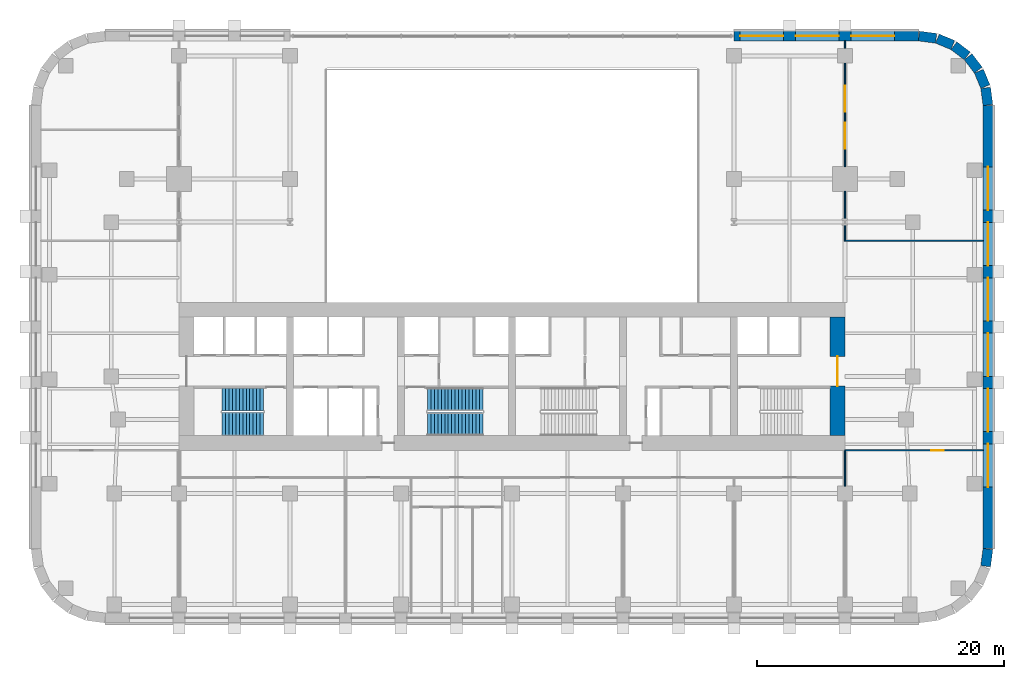
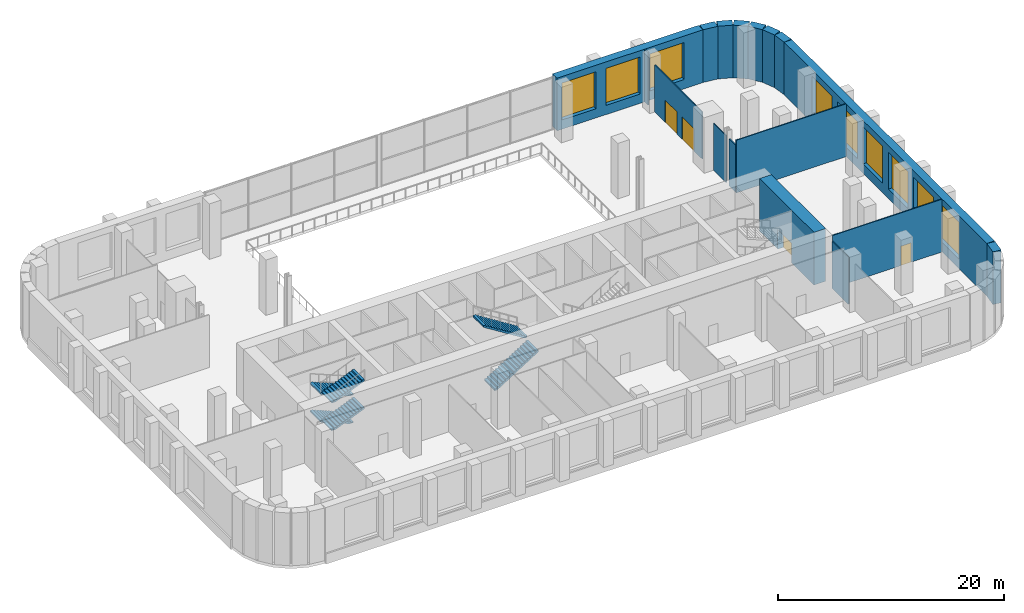
# One storey, part 8 of 13: 17 walls, 9 windows, 6 stair flights, 4 doors, 13 openings, 2 elements without a shape of their own.
"""IFC4 building model written with IfcOpenShell, lengths in metres."""

import ifcopenshell
import ifcopenshell.guid

model = None  # the IFC model being written
_history = None  # IfcOwnerHistory: only IFC2X3 demands one
_inside = {}  # id of a spatial element -> (the spatial element, [elements in it])
_under = {}  # id of a project, library or spatial element -> (it, [spatial elements below it])
_declared = {}  # id of a project -> (the project, [libraries it declares])
_typed = {}  # id of a type object -> (the type object, [elements of that type])
_made_of = {}  # id of a material, layer set ... -> (it, [elements and type objects made of it])


def new_model(schema):
    """Start an empty IFC model of exactly this schema.

    Asked for "IFC4X3", IfcOpenShell would pick the latest addendum, in which some entities
    have other attributes; the version numbers below select the first issue.
    IFC2X3 requires an IfcOwnerHistory on every rooted entity: one is made here for all.
    """
    global model, _history
    if schema == "IFC4X3":
        model = ifcopenshell.file(schema_version=(4, 3, 0, 0))
    else:
        model = ifcopenshell.file(schema=schema)
    _inside.clear()
    _under.clear()
    _declared.clear()
    _typed.clear()
    _made_of.clear()
    _history = None
    if model.schema == "IFC2X3":
        org = make("IfcOrganization", Name="unknown")
        user = make(
            "IfcPersonAndOrganization",
            ThePerson=make("IfcPerson", FamilyName="unknown"),
            TheOrganization=org,
        )
        app = make(
            "IfcApplication",
            ApplicationDeveloper=org,
            Version="unknown",
            ApplicationFullName="unknown",
            ApplicationIdentifier="unknown",
        )
        _history = make(
            "IfcOwnerHistory",
            OwningUser=user,
            OwningApplication=app,
            ChangeAction="ADDED",
            CreationDate=0,
        )
    return model


def make(cls, **values):
    """One entity of the class cls with the attributes given. An attribute that is None is left unset."""
    return model.create_entity(
        cls, **{name: value for name, value in values.items() if value is not None}
    )


def rooted(cls, **values):
    """An entity with a GlobalId (a new one), such as an element, a storey or a relation."""
    return make(cls, GlobalId=ifcopenshell.guid.new(), OwnerHistory=_history, **values)


def si_unit(unit_type, name, prefix=None):
    """IfcSIUnit, for example si_unit("LENGTHUNIT", "METRE", prefix="MILLI")."""
    return make("IfcSIUnit", UnitType=unit_type, Prefix=prefix, Name=name)


def assignment(units):
    """IfcUnitAssignment: the units of a project."""
    return None if units is None else make("IfcUnitAssignment", Units=units)


def point(xyz):
    """IfcCartesianPoint."""
    return None if xyz is None else make("IfcCartesianPoint", Coordinates=xyz)


def direction(xyz):
    """IfcDirection."""
    return None if xyz is None else make("IfcDirection", DirectionRatios=xyz)


def frame(location, z_axis=None, x_axis=None):
    """IfcAxis2Placement3D, a coordinate frame: its origin and axes. An axis left out is left unset."""
    return make(
        "IfcAxis2Placement3D",
        Location=point(location),
        Axis=direction(z_axis),
        RefDirection=direction(x_axis),
    )


def frame_2d(location, x_axis=None):
    """IfcAxis2Placement2D, a coordinate frame in the plane: its origin and x axis."""
    return make(
        "IfcAxis2Placement2D", Location=point(location), RefDirection=direction(x_axis)
    )


def origin():
    """The frame at (0, 0, 0) with its axes left unset."""
    return frame((0.0, 0.0, 0.0))


def place(relative_to, where):
    """IfcLocalPlacement: puts the frame where relative to a parent placement (None: the world)."""
    return make(
        "IfcLocalPlacement", PlacementRelTo=relative_to, RelativePlacement=where
    )


def context(
    kind, dimensions, precision=None, world=None, true_north=None, identifier=None
):
    """IfcGeometricRepresentationContext, for example the 3D "Model" context."""
    return make(
        "IfcGeometricRepresentationContext",
        ContextIdentifier=identifier,
        ContextType=kind,
        CoordinateSpaceDimension=dimensions,
        Precision=precision,
        WorldCoordinateSystem=world,
        TrueNorth=true_north,
    )


def subcontext(parent, identifier, kind, view, scale=None):
    """IfcGeometricRepresentationSubContext, for example "Body" below "Model"."""
    return make(
        "IfcGeometricRepresentationSubContext",
        ContextIdentifier=identifier,
        ContextType=kind,
        ParentContext=parent,
        TargetScale=scale,
        TargetView=view,
    )


def project(units=None, contexts=None):
    """IfcProject with its units and contexts."""
    return rooted(
        "IfcProject",
        Name="project",
        RepresentationContexts=contexts,
        UnitsInContext=assignment(units),
    )


def spatial(cls, under=None, at=None, **own):
    """A site, building, storey or space (cls), placed at a placement, below another one or the project."""
    s = rooted(cls, ObjectPlacement=at, **own)
    if under is not None:
        _under.setdefault(under.id(), (under, []))[1].append(s)
    return s


def polyline(points):
    """IfcPolyline through the points."""
    return make("IfcPolyline", Points=[point(p) for p in points])


def profile(cls, at=None, kind="AREA", **sizes):
    """A parametric profile (cls). Its sizes go by their IFC names, for example OverallWidth=200.0."""
    return make(cls, ProfileType=kind, Position=at, **sizes)


def rectangle(**sizes):
    """IfcRectangleProfileDef."""
    return profile("IfcRectangleProfileDef", **sizes)


def outline(outer, holes=None, kind="AREA"):
    """IfcArbitraryClosedProfileDef: a profile drawn as a closed curve; with holes, ...WithVoids."""
    if holes is None:
        return make("IfcArbitraryClosedProfileDef", ProfileType=kind, OuterCurve=outer)
    return make(
        "IfcArbitraryProfileDefWithVoids",
        ProfileType=kind,
        OuterCurve=outer,
        InnerCurves=holes,
    )


def extrude(swept, where, along, depth):
    """IfcExtrudedAreaSolid: the profile swept, set in the frame where, extruded along a direction by depth."""
    return make(
        "IfcExtrudedAreaSolid",
        SweptArea=swept,
        Position=where,
        ExtrudedDirection=direction(along),
        Depth=depth,
    )


def shape(context_of_items, identifier, shape_type, items):
    """IfcShapeRepresentation: the items that make up one representation, for example the "Body"."""
    return make(
        "IfcShapeRepresentation",
        ContextOfItems=context_of_items,
        RepresentationIdentifier=identifier,
        RepresentationType=shape_type,
        Items=items,
    )


def material(Name=None, Category=None):
    """IfcMaterial."""
    return make("IfcMaterial", Name=Name, Category=Category)


def layer(
    of_material, thickness, ventilated=None, Name=None, Category=None, Priority=None
):
    """IfcMaterialLayer: one layer of a wall or slab, of a material (None: an air gap)."""
    return make(
        "IfcMaterialLayer",
        Material=of_material,
        LayerThickness=thickness,
        IsVentilated=ventilated,
        Name=Name,
        Category=Category,
        Priority=Priority,
    )


def layer_set(layers, Name=None):
    """IfcMaterialLayerSet."""
    return make("IfcMaterialLayerSet", MaterialLayers=layers, LayerSetName=Name)


def made_of(thing, what):
    """Note that an element or type object is made of a material, layer set ...; save() writes the relation."""
    if what is not None:
        _made_of.setdefault(what.id(), (what, []))[1].append(thing)
    return thing


def type_object(cls, material=None, **own):
    """A type object (cls), such as IfcWallType, which elements share."""
    return made_of(rooted(cls, **own), material)


def element(
    cls,
    number,
    at=None,
    inside=None,
    cuts=None,
    type_object=None,
    material=None,
    context=None,
    identifier="Body",
    shape_type=None,
    held_by="IfcProductDefinitionShape",
    body=None,
    shapes=None,
    **own,
):
    """One element of the class cls, such as IfcWall. Its Tag is "e" and its number.

    at: its placement. inside: the storey or other place that contains it. cuts: it is an
    opening in that element (IfcRelVoidsElement). A single representation is given by context,
    identifier, shape_type and body (its items); several are given by shapes. held_by: the class
    of the entity that holds the representations. save() writes the other relations.
    """
    e = rooted(cls, Tag="e%d" % number, ObjectPlacement=at, **own)
    if body is not None:
        shapes = [shape(context, identifier, shape_type, body)]
    if shapes is not None:
        e.Representation = make(held_by, Representations=shapes)
    if inside is not None:
        _inside.setdefault(inside.id(), (inside, []))[1].append(e)
    if cuts is not None:
        rooted(
            "IfcRelVoidsElement", RelatingBuildingElement=cuts, RelatedOpeningElement=e
        )
    if type_object is not None:
        _typed.setdefault(type_object.id(), (type_object, []))[1].append(e)
    return made_of(e, material)


def fill(opening, filler):
    """IfcRelFillsElement: the door or window that sits in an opening."""
    return rooted(
        "IfcRelFillsElement",
        RelatingOpeningElement=opening,
        RelatedBuildingElement=filler,
    )


def aggregate(whole, parts):
    """IfcRelAggregates: a whole, such as a stair, and the parts it consists of."""
    return rooted("IfcRelAggregates", RelatingObject=whole, RelatedObjects=parts)


def save(model, path):
    """Write the relations noted so far, then the file.

    IfcRelAggregates (storeys below a building ...), IfcRelContainedInSpatialStructure (elements
    in a storey), IfcRelDefinesByType, IfcRelAssociatesMaterial and IfcRelDeclares: one each for
    every whole, place, type object, material and project.
    """
    for whole, parts in _under.values():
        aggregate(whole, parts)
    for where, things in _inside.values():
        rooted(
            "IfcRelContainedInSpatialStructure",
            RelatedElements=things,
            RelatingStructure=where,
        )
    for kind, things in _typed.values():
        rooted("IfcRelDefinesByType", RelatedObjects=things, RelatingType=kind)
    for what, things in _made_of.values():
        rooted("IfcRelAssociatesMaterial", RelatedObjects=things, RelatingMaterial=what)
    for by, libraries in _declared.values():
        rooted("IfcRelDeclares", RelatingContext=by, RelatedDefinitions=libraries)
    model.write(path)


model = new_model("IFC4")

# Units and contexts
model_context = context("Model", 3, precision=1e-05, world=origin(), true_north=direction((0.0, 1.0)))
body_context = subcontext(model_context, "Body", "Model", "MODEL_VIEW")
ifc_project = project(units=[si_unit("LENGTHUNIT", "METRE"), si_unit("AREAUNIT", "SQUARE_METRE"), si_unit("VOLUMEUNIT", "CUBIC_METRE"), si_unit("PLANEANGLEUNIT", "RADIAN"), si_unit("MASSUNIT", "GRAM", prefix="KILO")], contexts=[model_context])

# Site, building, storey
site_placement = place(None, origin())
site = spatial("IfcSite", under=ifc_project, at=site_placement, CompositionType="ELEMENT")
building_placement = place(site_placement, origin())
building = spatial("IfcBuilding", under=site, at=building_placement, Name="Zellij Exchange Tower", CompositionType="ELEMENT")
storey_placement = place(building_placement, frame((0.0, 0.0, 15.0)))
storey = spatial("IfcBuildingStorey", under=building, at=storey_placement, Name="L02", CompositionType="ELEMENT", Elevation=15.0)

# Wall, opening, door
ifc_material_1 = material(Name="Concrete C70/85", Category="concrete")
ifc_layer_1 = layer(ifc_material_1, 1.199951171875)
ifc_layer_set_1 = layer_set([ifc_layer_1], Name="Concrete C70/85")
wall_type_1 = type_object("IfcWallType", Name="CORE-SW 1200 C70/85", PredefinedType="SHEAR", material=ifc_layer_set_1)
wall_1_placement = place(storey_placement, frame((26.39990234375, -12.800048828125, 0.0), z_axis=(0.0, 0.0, 1.0), x_axis=(0.0, 1.0, 0.0)))
wall_1 = element("IfcWall", 1, at=wall_1_placement, inside=storey, type_object=wall_type_1, Name="Core shear wall end e L02", PredefinedType="SHEAR", context=body_context, shape_type="SweptSolid", body=[
    extrude(rectangle(XDim=9.60009765625, YDim=1.199951171875, at=frame_2d((4.800048828125, 0.0))), origin(), (0.0, 0.0, 1.0), 5.699951171875),
])
opening_1_placement = place(wall_1_placement, frame((4.011962890625, 0.0, 0.0)))
opening_1 = element("IfcOpeningElement", 2, at=opening_1_placement, cuts=wall_1, Name="Opening CA-04.26", PredefinedType="OPENING", context=body_context, shape_type="SweptSolid", body=[
    extrude(rectangle(XDim=2.39990234375, YDim=2.10009765625, at=frame_2d((1.199951171875, 1.050048828125))), frame((0.0, 0.61181640625, 0.0), z_axis=(0.0, -1.0, 0.0), x_axis=(1.0, 0.0, 0.0)), (0.0, 0.0, 1.0), 1.223876953125),
])
ifc_material_2 = material(Name="Hollow metal fire door")
door_type_1 = type_object("IfcDoorType", Name="CORE-D CE Core entrance door 2400x2100 20 MIN", OperationType="NOTDEFINED", PredefinedType="DOOR", material=ifc_material_2)
door_1_placement = place(opening_1_placement, origin())
door_1 = element("IfcDoor", 3, at=door_1_placement, inside=storey, type_object=door_type_1, Name="Core entrance door CA-04.26", OperationType="DOUBLE_DOOR_SINGLE_SWING", OverallHeight=2.10009765625, OverallWidth=2.39990234375, PredefinedType="DOOR", context=body_context, shape_type="SweptSolid", body=[
    extrude(rectangle(XDim=2.39990234375, YDim=2.10009765625, at=frame_2d((1.199951171875, 1.050048828125))), frame((0.0, 0.02490234375, 0.0), z_axis=(0.0, -1.0, 0.0), x_axis=(1.0, 0.0, 0.0)), (0.0, 0.0, 1.0), 0.050048828125),
])
fill(opening_1, door_1)

# Wall
ifc_material_3 = material(Name="Precast concrete C40/50", Category="concrete")
ifc_layer_2 = layer(ifc_material_3, 0.800048828125)
ifc_layer_set_2 = layer_set([ifc_layer_2], Name="Precast concrete C40/50")
wall_type_2 = type_object("IfcWallType", Name="ENV-EW1 Precast stone-piered wall 800", PredefinedType="SOLIDWALL", material=ifc_layer_set_2)
wall_2_placement = place(storey_placement, frame((38.412841796875, -23.396240234375, 0.0), z_axis=(0.0, 0.0, 1.0), x_axis=(0.130517283865, 0.99144603414, 0.0)))
element("IfcWall", 4, at=wall_2_placement, inside=storey, type_object=wall_type_2, Name="fac.L02.06", PredefinedType="SOLIDWALL", context=body_context, shape_type="SweptSolid", body=[
    extrude(rectangle(XDim=1.408447265625, YDim=0.800048828125, at=frame_2d((0.7041015625, 0.0))), origin(), (0.0, 0.0, 1.0), 5.699951171875),
])

# Wall, openings, windows
wall_3_placement = place(storey_placement, frame((38.60009765625, -21.947509765625, 0.0), z_axis=(0.0, 0.0, 1.0), x_axis=(0.0, 1.0, 0.0)))
wall_3 = element("IfcWall", 5, at=wall_3_placement, inside=storey, type_object=wall_type_2, Name="fac.L02.07", PredefinedType="SOLIDWALL", context=body_context, shape_type="SweptSolid", body=[
    extrude(rectangle(XDim=35.89501953125, YDim=0.800048828125, at=frame_2d((17.947509765625, 0.0))), origin(), (0.0, 0.0, 1.0), 5.699951171875),
])
opening_2_placement = place(wall_3_placement, frame((4.9638671875, 0.0, 1.0)))
opening_2 = element("IfcOpeningElement", 6, at=opening_2_placement, cuts=wall_3, Name="Opening FP.15", PredefinedType="OPENING", context=body_context, shape_type="SweptSolid", body=[
    extrude(rectangle(XDim=3.5, YDim=4.0, at=frame_2d((1.75, 2.0))), frame((0.0, 0.412109375, 0.0), z_axis=(0.0, -1.0, 0.0), x_axis=(1.0, 0.0, 0.0)), (0.0, 0.0, 1.0), 0.823974609375),
])
opening_3_placement = place(wall_3_placement, frame((9.45751953125, 0.0, 1.0)))
opening_3 = element("IfcOpeningElement", 7, at=opening_3_placement, cuts=wall_3, Name="Opening FP.16", PredefinedType="OPENING", context=body_context, shape_type="SweptSolid", body=[
    extrude(rectangle(XDim=3.5, YDim=4.0, at=frame_2d((1.75, 2.0))), frame((0.0, 0.412109375, 0.0), z_axis=(0.0, -1.0, 0.0), x_axis=(1.0, 0.0, 0.0)), (0.0, 0.0, 1.0), 0.823974609375),
])
opening_4_placement = place(wall_3_placement, frame((13.950927734375, 0.0, 1.0)))
opening_4 = element("IfcOpeningElement", 8, at=opening_4_placement, cuts=wall_3, Name="Opening FP.17", PredefinedType="OPENING", context=body_context, shape_type="SweptSolid", body=[
    extrude(rectangle(XDim=3.5, YDim=4.0, at=frame_2d((1.75, 2.0))), frame((0.0, 0.412109375, 0.0), z_axis=(0.0, -1.0, 0.0), x_axis=(1.0, 0.0, 0.0)), (0.0, 0.0, 1.0), 0.823974609375),
])
opening_5_placement = place(wall_3_placement, frame((18.4443359375, 0.0, 1.0)))
opening_5 = element("IfcOpeningElement", 9, at=opening_5_placement, cuts=wall_3, Name="Opening FP.18", PredefinedType="OPENING", context=body_context, shape_type="SweptSolid", body=[
    extrude(rectangle(XDim=3.5, YDim=4.0, at=frame_2d((1.75, 2.0))), frame((0.0, 0.412109375, 0.0), z_axis=(0.0, -1.0, 0.0), x_axis=(1.0, 0.0, 0.0)), (0.0, 0.0, 1.0), 0.823974609375),
])
opening_6_placement = place(wall_3_placement, frame((22.937744140625, 0.0, 1.0)))
opening_6 = element("IfcOpeningElement", 10, at=opening_6_placement, cuts=wall_3, Name="Opening FP.19", PredefinedType="OPENING", context=body_context, shape_type="SweptSolid", body=[
    extrude(rectangle(XDim=3.5, YDim=4.0, at=frame_2d((1.75, 2.0))), frame((0.0, 0.412109375, 0.0), z_axis=(0.0, -1.0, 0.0), x_axis=(1.0, 0.0, 0.0)), (0.0, 0.0, 1.0), 0.823974609375),
])
opening_7_placement = place(wall_3_placement, frame((27.43115234375, 0.0, 1.0)))
opening_7 = element("IfcOpeningElement", 11, at=opening_7_placement, cuts=wall_3, Name="Opening FP.20", PredefinedType="OPENING", context=body_context, shape_type="SweptSolid", body=[
    extrude(rectangle(XDim=3.5, YDim=4.0, at=frame_2d((1.75, 2.0))), frame((0.0, 0.412109375, 0.0), z_axis=(0.0, -1.0, 0.0), x_axis=(1.0, 0.0, 0.0)), (0.0, 0.0, 1.0), 0.823974609375),
])
ifc_material_4 = material(Name="Aluminium frame with insulating glass", Category="aluminium")
window_type = type_object("IfcWindowType", Name="ENV-W2 Window 3500x4000", PartitioningType="SINGLE_PANEL", PredefinedType="WINDOW", material=ifc_material_4)
window_1_placement = place(opening_2_placement, origin())
window_1 = element("IfcWindow", 12, at=window_1_placement, inside=storey, type_object=window_type, Name="Window FP.15", OverallHeight=4.0, OverallWidth=3.5, PartitioningType="SINGLE_PANEL", PredefinedType="WINDOW", context=body_context, shape_type="SweptSolid", body=[
    extrude(rectangle(XDim=3.5, YDim=4.0, at=frame_2d((1.75, 2.0))), frame((0.0, 0.030029296875, 0.0), z_axis=(0.0, -1.0, 0.0), x_axis=(1.0, 0.0, 0.0)), (0.0, 0.0, 1.0), 0.06005859375),
])
fill(opening_2, window_1)
window_2_placement = place(opening_3_placement, origin())
window_2 = element("IfcWindow", 13, at=window_2_placement, inside=storey, type_object=window_type, Name="Window FP.16", OverallHeight=4.0, OverallWidth=3.5, PartitioningType="SINGLE_PANEL", PredefinedType="WINDOW", context=body_context, shape_type="SweptSolid", body=[
    extrude(rectangle(XDim=3.5, YDim=4.0, at=frame_2d((1.75, 2.0))), frame((0.0, 0.030029296875, 0.0), z_axis=(0.0, -1.0, 0.0), x_axis=(1.0, 0.0, 0.0)), (0.0, 0.0, 1.0), 0.06005859375),
])
fill(opening_3, window_2)
window_3_placement = place(opening_4_placement, origin())
window_3 = element("IfcWindow", 14, at=window_3_placement, inside=storey, type_object=window_type, Name="Window FP.17", OverallHeight=4.0, OverallWidth=3.5, PartitioningType="SINGLE_PANEL", PredefinedType="WINDOW", context=body_context, shape_type="SweptSolid", body=[
    extrude(rectangle(XDim=3.5, YDim=4.0, at=frame_2d((1.75, 2.0))), frame((0.0, 0.030029296875, 0.0), z_axis=(0.0, -1.0, 0.0), x_axis=(1.0, 0.0, 0.0)), (0.0, 0.0, 1.0), 0.06005859375),
])
fill(opening_4, window_3)
window_4_placement = place(opening_5_placement, origin())
window_4 = element("IfcWindow", 15, at=window_4_placement, inside=storey, type_object=window_type, Name="Window FP.18", OverallHeight=4.0, OverallWidth=3.5, PartitioningType="SINGLE_PANEL", PredefinedType="WINDOW", context=body_context, shape_type="SweptSolid", body=[
    extrude(rectangle(XDim=3.5, YDim=4.0, at=frame_2d((1.75, 2.0))), frame((0.0, 0.030029296875, 0.0), z_axis=(0.0, -1.0, 0.0), x_axis=(1.0, 0.0, 0.0)), (0.0, 0.0, 1.0), 0.06005859375),
])
fill(opening_5, window_4)
window_5_placement = place(opening_6_placement, origin())
window_5 = element("IfcWindow", 16, at=window_5_placement, inside=storey, type_object=window_type, Name="Window FP.19", OverallHeight=4.0, OverallWidth=3.5, PartitioningType="SINGLE_PANEL", PredefinedType="WINDOW", context=body_context, shape_type="SweptSolid", body=[
    extrude(rectangle(XDim=3.5, YDim=4.0, at=frame_2d((1.75, 2.0))), frame((0.0, 0.030029296875, 0.0), z_axis=(0.0, -1.0, 0.0), x_axis=(1.0, 0.0, 0.0)), (0.0, 0.0, 1.0), 0.06005859375),
])
fill(opening_6, window_5)
window_6_placement = place(opening_7_placement, origin())
window_6 = element("IfcWindow", 17, at=window_6_placement, inside=storey, type_object=window_type, Name="Window FP.20", OverallHeight=4.0, OverallWidth=3.5, PartitioningType="SINGLE_PANEL", PredefinedType="WINDOW", context=body_context, shape_type="SweptSolid", body=[
    extrude(rectangle(XDim=3.5, YDim=4.0, at=frame_2d((1.75, 2.0))), frame((0.0, 0.030029296875, 0.0), z_axis=(0.0, -1.0, 0.0), x_axis=(1.0, 0.0, 0.0)), (0.0, 0.0, 1.0), 0.06005859375),
])
fill(opening_7, window_6)

# Walls
wall_4_placement = place(storey_placement, frame((38.5966796875, 13.999755859375, 0.0), z_axis=(0.0, 0.0, 1.0), x_axis=(-0.130517283865, 0.99144603414, 0.0)))
element("IfcWall", 18, at=wall_4_placement, inside=storey, type_object=wall_type_2, Name="fac.L02.08", PredefinedType="SOLIDWALL", context=body_context, shape_type="SweptSolid", body=[
    extrude(rectangle(XDim=1.408447265625, YDim=0.800048828125, at=frame_2d((0.7041015625, 0.0))), origin(), (0.0, 0.0, 1.0), 5.699951171875),
])
wall_5_placement = place(storey_placement, frame((38.3857421875, 15.497314453125, 0.0), z_axis=(0.0, 0.0, 1.0), x_axis=(-0.38276009378, 0.923847774587, 0.0)))
element("IfcWall", 19, at=wall_5_placement, inside=storey, type_object=wall_type_2, Name="fac.L02.09", PredefinedType="SOLIDWALL", context=body_context, shape_type="SweptSolid", body=[
    extrude(rectangle(XDim=1.35546875, YDim=0.800048828125, at=frame_2d((0.677734375, 0.0))), origin(), (0.0, 0.0, 1.0), 5.699951171875),
])
for number, where, z_axis, x_axis, name in (
    (20, (37.814697265625, 16.840087890625, 0.0), (0.0, 0.0, 1.0), (-0.608866226366, 0.793272915452, 0.0), "fac.L02.10"),
    (21, (36.91552734375, 17.9892578125, 0.0), (0.0, 0.0, 1.0), (-0.793272915452, 0.608866226366, 0.0), "fac.L02.11"),
):
    element("IfcWall", number, at=place(storey_placement, frame(where, z_axis=z_axis, x_axis=x_axis)), inside=storey, type_object=wall_type_2, Name=name, PredefinedType="SOLIDWALL", context=body_context, shape_type="SweptSolid", body=[
        extrude(rectangle(XDim=1.355712890625, YDim=0.800048828125, at=frame_2d((0.677734375, 0.0))), origin(), (0.0, 0.0, 1.0), 5.699951171875),
    ])
wall_6_placement = place(storey_placement, frame((35.74951171875, 18.866943359375, 0.0), z_axis=(0.0, 0.0, 1.0), x_axis=(-0.923847774587, 0.38276009378, 0.0)))
element("IfcWall", 22, at=wall_6_placement, inside=storey, type_object=wall_type_2, Name="fac.L02.12", PredefinedType="SOLIDWALL", context=body_context, shape_type="SweptSolid", body=[
    extrude(rectangle(XDim=1.35546875, YDim=0.800048828125, at=frame_2d((0.677734375, 0.0))), origin(), (0.0, 0.0, 1.0), 5.699951171875),
])
wall_7_placement = place(storey_placement, frame((34.396240234375, 19.412841796875, 0.0), z_axis=(0.0, 0.0, 1.0), x_axis=(-0.99144603414, 0.130517283865, 0.0)))
element("IfcWall", 23, at=wall_7_placement, inside=storey, type_object=wall_type_2, Name="fac.L02.13", PredefinedType="SOLIDWALL", context=body_context, shape_type="SweptSolid", body=[
    extrude(rectangle(XDim=1.408447265625, YDim=0.800048828125, at=frame_2d((0.7041015625, 0.0))), origin(), (0.0, 0.0, 1.0), 5.699951171875),
])

# Wall, openings, windows
wall_8_placement = place(storey_placement, frame((32.947509765625, 19.60009765625, 0.0), z_axis=(0.0, 0.0, 1.0), x_axis=(-1.0, 0.0, 0.0)))
wall_8 = element("IfcWall", 24, at=wall_8_placement, inside=storey, type_object=wall_type_2, Name="fac.L02.14a", PredefinedType="SOLIDWALL", context=body_context, shape_type="SweptSolid", body=[
    extrude(rectangle(XDim=14.947509765625, YDim=0.800048828125, at=frame_2d((7.4736328125, 0.0))), origin(), (0.0, 0.0, 1.0), 5.699951171875),
])
opening_8_placement = place(wall_8_placement, frame((1.947509765625, 0.0, 1.0)))
opening_8 = element("IfcOpeningElement", 25, at=opening_8_placement, cuts=wall_8, Name="Opening FP.22", PredefinedType="OPENING", context=body_context, shape_type="SweptSolid", body=[
    extrude(rectangle(XDim=3.5, YDim=4.0, at=frame_2d((1.75, 2.0))), frame((0.0, 0.412109375, 0.0), z_axis=(0.0, -1.0, 0.0), x_axis=(1.0, 0.0, 0.0)), (0.0, 0.0, 1.0), 0.823974609375),
])
opening_9_placement = place(wall_8_placement, frame((6.447509765625, 0.0, 1.0)))
opening_9 = element("IfcOpeningElement", 26, at=opening_9_placement, cuts=wall_8, Name="Opening FP.24", PredefinedType="OPENING", context=body_context, shape_type="SweptSolid", body=[
    extrude(rectangle(XDim=3.5, YDim=4.0, at=frame_2d((1.75, 2.0))), frame((0.0, 0.412109375, 0.0), z_axis=(0.0, -1.0, 0.0), x_axis=(1.0, 0.0, 0.0)), (0.0, 0.0, 1.0), 0.823974609375),
])
opening_10_placement = place(wall_8_placement, frame((10.947509765625, 0.0, 1.0)))
opening_10 = element("IfcOpeningElement", 27, at=opening_10_placement, cuts=wall_8, Name="Opening FP.26", PredefinedType="OPENING", context=body_context, shape_type="SweptSolid", body=[
    extrude(rectangle(XDim=3.5, YDim=4.0, at=frame_2d((1.75, 2.0))), frame((0.0, 0.412109375, 0.0), z_axis=(0.0, -1.0, 0.0), x_axis=(1.0, 0.0, 0.0)), (0.0, 0.0, 1.0), 0.823974609375),
])
window_7_placement = place(opening_8_placement, origin())
window_7 = element("IfcWindow", 28, at=window_7_placement, inside=storey, type_object=window_type, Name="Window FP.22", OverallHeight=4.0, OverallWidth=3.5, PartitioningType="SINGLE_PANEL", PredefinedType="WINDOW", context=body_context, shape_type="SweptSolid", body=[
    extrude(rectangle(XDim=3.5, YDim=4.0, at=frame_2d((1.75, 2.0))), frame((0.0, 0.030029296875, 0.0), z_axis=(0.0, -1.0, 0.0), x_axis=(1.0, 0.0, 0.0)), (0.0, 0.0, 1.0), 0.06005859375),
])
fill(opening_8, window_7)
window_8_placement = place(opening_9_placement, origin())
window_8 = element("IfcWindow", 29, at=window_8_placement, inside=storey, type_object=window_type, Name="Window FP.24", OverallHeight=4.0, OverallWidth=3.5, PartitioningType="SINGLE_PANEL", PredefinedType="WINDOW", context=body_context, shape_type="SweptSolid", body=[
    extrude(rectangle(XDim=3.5, YDim=4.0, at=frame_2d((1.75, 2.0))), frame((0.0, 0.030029296875, 0.0), z_axis=(0.0, -1.0, 0.0), x_axis=(1.0, 0.0, 0.0)), (0.0, 0.0, 1.0), 0.06005859375),
])
fill(opening_9, window_8)
window_9_placement = place(opening_10_placement, origin())
window_9 = element("IfcWindow", 30, at=window_9_placement, inside=storey, type_object=window_type, Name="Window FP.26", OverallHeight=4.0, OverallWidth=3.5, PartitioningType="SINGLE_PANEL", PredefinedType="WINDOW", context=body_context, shape_type="SweptSolid", body=[
    extrude(rectangle(XDim=3.5, YDim=4.0, at=frame_2d((1.75, 2.0))), frame((0.0, 0.030029296875, 0.0), z_axis=(0.0, -1.0, 0.0), x_axis=(1.0, 0.0, 0.0)), (0.0, 0.0, 1.0), 0.06005859375),
])
fill(opening_10, window_9)

# Wall
ifc_material_5 = material(Name="Gypsum board partition on steel studs", Category="steel")
ifc_layer_3 = layer(ifc_material_5, 0.10009765625)
ifc_layer_set_3 = layer_set([ifc_layer_3], Name="Gypsum board partition on steel studs")
wall_type_3 = type_object("IfcWallType", Name="FIT-PARTITION-100", PredefinedType="PARTITIONING", material=ifc_layer_set_3)
wall_9_placement = place(storey_placement, frame((27.0, -16.89990234375, 0.0), z_axis=(0.0, 0.0, 1.0), x_axis=(0.0, 1.0, 0.0)))
element("IfcWall", 31, at=wall_9_placement, inside=storey, type_object=wall_type_3, Name="FIT-PARTITION-100 014", PredefinedType="PARTITIONING", context=body_context, shape_type="SweptSolid", body=[
    extrude(rectangle(XDim=2.849853515625, YDim=0.10009765625, at=frame_2d((1.4248046875, 0.0))), origin(), (0.0, 0.0, 1.0), 5.087890625),
])

# Wall, opening, door
wall_10_placement = place(storey_placement, frame((27.0, -14.0, 0.0), z_axis=(0.0, 0.0, 1.0), x_axis=(1.0, 0.0, 0.0)))
wall_10 = element("IfcWall", 32, at=wall_10_placement, inside=storey, type_object=wall_type_3, Name="FIT-PARTITION-100 018", PredefinedType="PARTITIONING", context=body_context, shape_type="SweptSolid", body=[
    extrude(rectangle(XDim=11.199951171875, YDim=0.10009765625, at=frame_2d((5.60009765625, 0.0))), origin(), (0.0, 0.0, 1.0), 5.699951171875),
])
opening_11_placement = place(wall_10_placement, frame((7.0, 0.0, 0.0)))
opening_11 = element("IfcOpeningElement", 33, at=opening_11_placement, cuts=wall_10, Name="Opening P2.11", PredefinedType="OPENING", context=body_context, shape_type="SweptSolid", body=[
    extrude(rectangle(XDim=1.0, YDim=2.10009765625, at=frame_2d((0.5, 1.050048828125))), frame((0.0, 0.06201171875, 0.0), z_axis=(0.0, -1.0, 0.0), x_axis=(1.0, 0.0, 0.0)), (0.0, 0.0, 1.0), 0.1240234375),
])
ifc_material_6 = material(Name="Timber door set", Category="wood")
door_type_2 = type_object("IfcDoorType", Name="FIT-D2-WIDE-1000X2100", OperationType="SINGLE_SWING_LEFT", PredefinedType="DOOR", material=ifc_material_6)
door_2_placement = place(opening_11_placement, origin())
door_2 = element("IfcDoor", 34, at=door_2_placement, inside=storey, type_object=door_type_2, Name="Door P2.11", OperationType="SINGLE_SWING_LEFT", OverallHeight=2.10009765625, OverallWidth=1.0, PredefinedType="DOOR", context=body_context, shape_type="SweptSolid", body=[
    extrude(rectangle(XDim=1.0, YDim=2.10009765625, at=frame_2d((0.5, 1.050048828125))), frame((0.0, 0.02490234375, 0.0), z_axis=(0.0, -1.0, 0.0), x_axis=(1.0, 0.0, 0.0)), (0.0, 0.0, 1.0), 0.050048828125),
])
fill(opening_11, door_2)

# Walls
wall_11_placement = place(storey_placement, frame((26.949951171875, 3.0, 0.0), z_axis=(0.0, 0.0, 1.0), x_axis=(1.0, 0.0, 0.0)))
element("IfcWall", 35, at=wall_11_placement, inside=storey, type_object=wall_type_3, Name="FIT-PARTITION-100 024", PredefinedType="PARTITIONING", context=body_context, shape_type="SweptSolid", body=[
    extrude(rectangle(XDim=11.25, YDim=0.10009765625, at=frame_2d((5.625, 0.0))), origin(), (0.0, 0.0, 1.0), 5.699951171875),
])
wall_12_placement = place(storey_placement, frame((27.0, 3.050048828125, 0.0), z_axis=(0.0, 0.0, 1.0), x_axis=(0.0, 1.0, 0.0)))
element("IfcWall", 36, at=wall_12_placement, inside=storey, type_object=wall_type_3, Name="FIT-PARTITION-100 025", PredefinedType="PARTITIONING", context=body_context, shape_type="SweptSolid", body=[
    extrude(rectangle(XDim=1.16552734375, YDim=0.10009765625, at=frame_2d((0.582763671875, 0.0))), origin(), (0.0, 0.0, 1.0), 5.087890625),
])
wall_13_placement = place(storey_placement, frame((27.0, 4.784423828125, 0.0), z_axis=(0.0, 0.0, 1.0), x_axis=(0.0, 1.0, 0.0)))
element("IfcWall", 37, at=wall_13_placement, inside=storey, type_object=wall_type_3, Name="FIT-PARTITION-100 026", PredefinedType="PARTITIONING", context=body_context, shape_type="SweptSolid", body=[
    extrude(rectangle(XDim=2.215576171875, YDim=0.10009765625, at=frame_2d((1.10791015625, 0.0))), origin(), (0.0, 0.0, 1.0), 5.087890625),
])

# Wall, openings, doors
wall_14_placement = place(storey_placement, frame((27.0, 9.0, 0.0), z_axis=(0.0, 0.0, 1.0), x_axis=(0.0, 1.0, 0.0)))
wall_14 = element("IfcWall", 38, at=wall_14_placement, inside=storey, type_object=wall_type_3, Name="FIT-PARTITION-100 027", PredefinedType="PARTITIONING", context=body_context, shape_type="SweptSolid", body=[
    extrude(rectangle(XDim=8.39990234375, YDim=0.10009765625, at=frame_2d((4.199951171875, 0.0))), origin(), (0.0, 0.0, 1.0), 5.087890625),
])
opening_12_placement = place(wall_14_placement, frame((1.449951171875, 0.0, 0.0)))
opening_12 = element("IfcOpeningElement", 39, at=opening_12_placement, cuts=wall_14, Name="Opening P2.14", PredefinedType="OPENING", context=body_context, shape_type="SweptSolid", body=[
    extrude(rectangle(XDim=2.10009765625, YDim=2.39990234375, at=frame_2d((1.050048828125, 1.199951171875))), frame((0.0, 0.06201171875, 0.0), z_axis=(0.0, -1.0, 0.0), x_axis=(1.0, 0.0, 0.0)), (0.0, 0.0, 1.0), 0.1240234375),
])
opening_13_placement = place(wall_14_placement, frame((4.449951171875, 0.0, 0.0)))
opening_13 = element("IfcOpeningElement", 40, at=opening_13_placement, cuts=wall_14, Name="Opening P2.16", PredefinedType="OPENING", context=body_context, shape_type="SweptSolid", body=[
    extrude(rectangle(XDim=2.10009765625, YDim=2.39990234375, at=frame_2d((1.050048828125, 1.199951171875))), frame((0.0, 0.06201171875, 0.0), z_axis=(0.0, -1.0, 0.0), x_axis=(1.0, 0.0, 0.0)), (0.0, 0.0, 1.0), 0.1240234375),
])
door_type_3 = type_object("IfcDoorType", Name="FIT-D7-ASSEMBLY-2100X2400", OperationType="DOUBLE_DOOR_SINGLE_SWING", PredefinedType="DOOR", material=ifc_material_6)
door_3_placement = place(opening_12_placement, origin())
door_3 = element("IfcDoor", 41, at=door_3_placement, inside=storey, type_object=door_type_3, Name="Door P2.14", OperationType="DOUBLE_DOOR_SINGLE_SWING", OverallHeight=2.39990234375, OverallWidth=2.10009765625, PredefinedType="DOOR", context=body_context, shape_type="SweptSolid", body=[
    extrude(rectangle(XDim=2.10009765625, YDim=2.39990234375, at=frame_2d((1.050048828125, 1.199951171875))), frame((0.0, 0.02490234375, 0.0), z_axis=(0.0, -1.0, 0.0), x_axis=(1.0, 0.0, 0.0)), (0.0, 0.0, 1.0), 0.050048828125),
])
fill(opening_12, door_3)
door_4_placement = place(opening_13_placement, origin())
door_4 = element("IfcDoor", 42, at=door_4_placement, inside=storey, type_object=door_type_3, Name="Door P2.16", OperationType="DOUBLE_DOOR_SINGLE_SWING", OverallHeight=2.39990234375, OverallWidth=2.10009765625, PredefinedType="DOOR", context=body_context, shape_type="SweptSolid", body=[
    extrude(rectangle(XDim=2.10009765625, YDim=2.39990234375, at=frame_2d((1.050048828125, 1.199951171875))), frame((0.0, 0.02490234375, 0.0), z_axis=(0.0, -1.0, 0.0), x_axis=(1.0, 0.0, 0.0)), (0.0, 0.0, 1.0), 0.050048828125),
])
fill(opening_13, door_4)

# Wall
wall_15_placement = place(storey_placement, frame((27.0, 18.60009765625, 0.0), z_axis=(0.0, 0.0, 1.0), x_axis=(0.0, 1.0, 0.0)))
element("IfcWall", 43, at=wall_15_placement, inside=storey, type_object=wall_type_3, Name="FIT-PARTITION-100 028", PredefinedType="PARTITIONING", context=body_context, shape_type="SweptSolid", body=[
    extrude(rectangle(XDim=0.599853515625, YDim=0.10009765625, at=frame_2d((0.2998046875, 0.0))), origin(), (0.0, 0.0, 1.0), 5.699951171875),
])

# Stair, stair flights
ifc_material_7 = material(Name="Concrete C40/50", Category="concrete")
stair_type = type_object("IfcStairType", Name="CORE-ST exit stair 1850 wide", PredefinedType="HALF_TURN_STAIR", material=ifc_material_7)
stair_1_placement = place(storey_placement, origin())
stair_1 = element("IfcStair", 44, at=stair_1_placement, inside=storey, type_object=stair_type, Name="L02 exit stair ST1", PredefinedType="HALF_TURN_STAIR")
stair_flight_type_1 = type_object("IfcStairFlightType", Name="CORE-SF flight 1850 riser 115.4 going 280", PredefinedType="STRAIGHT", material=ifc_material_7)
stair_flight_1_placement = place(storey_placement, frame((-20.14990234375, -9.875, 0.0), z_axis=(0.0, 0.0, 1.0), x_axis=(-1.0, 0.0, 0.0)))
stair_flight_1 = element("IfcStairFlight", 45, at=stair_flight_1_placement, type_object=stair_flight_type_1, Name="ST1 flight 1", NumberOfRisers=13, NumberOfTreads=12, PredefinedType="STRAIGHT", RiserHeight=0.115384615, TreadLength=0.28, context=body_context, shape_type="SweptSolid", body=[
    extrude(outline(polyline([(0.0, 0.0), (0.0, 0.115478515625), (0.280029296875, 0.115478515625), (0.280029296875, 0.230712890625), (0.56005859375, 0.230712890625), (0.56005859375, 0.34619140625), (0.840087890625, 0.34619140625), (0.840087890625, 0.46142578125), (1.1201171875, 0.46142578125), (1.1201171875, 0.576904296875), (1.39990234375, 0.576904296875), (1.39990234375, 0.6923828125), (1.679931640625, 0.6923828125), (1.679931640625, 0.8076171875), (1.9599609375, 0.8076171875), (1.9599609375, 0.923095703125), (2.239990234375, 0.923095703125), (2.239990234375, 1.03857421875), (2.52001953125, 1.03857421875), (2.52001953125, 1.15380859375), (2.800048828125, 1.15380859375), (2.800048828125, 1.269287109375), (3.080078125, 1.269287109375), (3.080078125, 1.384521484375), (3.360107421875, 1.384521484375), (3.360107421875, 1.5), (3.360107421875, 1.222412109375), (0.3935546875, 0.0), (0.0, 0.0)])), frame((0.0, 0.925048828125, 0.0), z_axis=(0.0, -1.0, 0.0), x_axis=(1.0, 0.0, 0.0)), (0.0, 0.0, 1.0), 1.85009765625),
])
stair_flight_2_placement = place(storey_placement, frame((-23.510009765625, -11.875, 1.5), z_axis=(0.0, 0.0, 1.0), x_axis=(1.0, 0.0, 0.0)))
stair_flight_2 = element("IfcStairFlight", 46, at=stair_flight_2_placement, type_object=stair_flight_type_1, Name="ST1 flight 2", NumberOfRisers=13, NumberOfTreads=12, PredefinedType="STRAIGHT", RiserHeight=0.115384615, TreadLength=0.28, context=body_context, shape_type="SweptSolid", body=[
    extrude(outline(polyline([(0.0, 0.0), (0.0, 0.115478515625), (0.280029296875, 0.115478515625), (0.280029296875, 0.230712890625), (0.56005859375, 0.230712890625), (0.56005859375, 0.34619140625), (0.840087890625, 0.34619140625), (0.840087890625, 0.46142578125), (1.1201171875, 0.46142578125), (1.1201171875, 0.576904296875), (1.39990234375, 0.576904296875), (1.39990234375, 0.6923828125), (1.679931640625, 0.6923828125), (1.679931640625, 0.8076171875), (1.9599609375, 0.8076171875), (1.9599609375, 0.923095703125), (2.239990234375, 0.923095703125), (2.239990234375, 1.03857421875), (2.52001953125, 1.03857421875), (2.52001953125, 1.15380859375), (2.800048828125, 1.15380859375), (2.800048828125, 1.269287109375), (3.080078125, 1.269287109375), (3.080078125, 1.384521484375), (3.360107421875, 1.384521484375), (3.360107421875, 1.5), (3.360107421875, 1.222412109375), (0.3935546875, 0.0), (0.0, 0.0)])), frame((0.0, 0.925048828125, 0.0), z_axis=(0.0, -1.0, 0.0), x_axis=(1.0, 0.0, 0.0)), (0.0, 0.0, 1.0), 1.85009765625),
])
stair_flight_3_placement = place(storey_placement, frame((-20.14990234375, -9.875, 3.0), z_axis=(0.0, 0.0, 1.0), x_axis=(-1.0, 0.0, 0.0)))
stair_flight_3 = element("IfcStairFlight", 47, at=stair_flight_3_placement, type_object=stair_flight_type_1, Name="ST1 flight 3", NumberOfRisers=13, NumberOfTreads=12, PredefinedType="STRAIGHT", RiserHeight=0.115384615, TreadLength=0.28, context=body_context, shape_type="SweptSolid", body=[
    extrude(outline(polyline([(0.0, 0.0), (0.0, 0.115478515625), (0.280029296875, 0.115478515625), (0.280029296875, 0.230712890625), (0.56005859375, 0.230712890625), (0.56005859375, 0.34619140625), (0.840087890625, 0.34619140625), (0.840087890625, 0.46142578125), (1.1201171875, 0.46142578125), (1.1201171875, 0.576904296875), (1.39990234375, 0.576904296875), (1.39990234375, 0.6923828125), (1.679931640625, 0.6923828125), (1.679931640625, 0.8076171875), (1.9599609375, 0.8076171875), (1.9599609375, 0.923095703125), (2.239990234375, 0.923095703125), (2.239990234375, 1.03857421875), (2.52001953125, 1.03857421875), (2.52001953125, 1.15380859375), (2.800048828125, 1.15380859375), (2.800048828125, 1.269287109375), (3.080078125, 1.269287109375), (3.080078125, 1.384521484375), (3.360107421875, 1.384521484375), (3.360107421875, 1.5), (3.360107421875, 1.222412109375), (0.3935546875, 0.0), (0.0, 0.0)])), frame((0.0, 0.925048828125, 0.0), z_axis=(0.0, -1.0, 0.0), x_axis=(1.0, 0.0, 0.0)), (0.0, 0.0, 1.0), 1.85009765625),
])
stair_flight_4_placement = place(storey_placement, frame((-23.510009765625, -11.875, 4.5), z_axis=(0.0, 0.0, 1.0), x_axis=(1.0, 0.0, 0.0)))
stair_flight_4 = element("IfcStairFlight", 48, at=stair_flight_4_placement, type_object=stair_flight_type_1, Name="ST1 flight 4", NumberOfRisers=13, NumberOfTreads=12, PredefinedType="STRAIGHT", RiserHeight=0.115384615, TreadLength=0.28, context=body_context, shape_type="SweptSolid", body=[
    extrude(outline(polyline([(0.0, 0.0), (0.0, 0.115478515625), (0.280029296875, 0.115478515625), (0.280029296875, 0.230712890625), (0.56005859375, 0.230712890625), (0.56005859375, 0.34619140625), (0.840087890625, 0.34619140625), (0.840087890625, 0.46142578125), (1.1201171875, 0.46142578125), (1.1201171875, 0.576904296875), (1.39990234375, 0.576904296875), (1.39990234375, 0.6923828125), (1.679931640625, 0.6923828125), (1.679931640625, 0.8076171875), (1.9599609375, 0.8076171875), (1.9599609375, 0.923095703125), (2.239990234375, 0.923095703125), (2.239990234375, 1.03857421875), (2.52001953125, 1.03857421875), (2.52001953125, 1.15380859375), (2.800048828125, 1.15380859375), (2.800048828125, 1.269287109375), (3.080078125, 1.269287109375), (3.080078125, 1.384521484375), (3.360107421875, 1.384521484375), (3.360107421875, 1.5), (3.360107421875, 1.222412109375), (0.3935546875, 0.0), (0.0, 0.0)])), frame((0.0, 0.925048828125, 0.0), z_axis=(0.0, -1.0, 0.0), x_axis=(1.0, 0.0, 0.0)), (0.0, 0.0, 1.0), 1.85009765625),
])
aggregate(stair_1, [stair_flight_1, stair_flight_2, stair_flight_3, stair_flight_4])

stair_2_placement = place(storey_placement, origin())
stair_2 = element("IfcStair", 49, at=stair_2_placement, inside=storey, type_object=stair_type, Name="L02 exit stair ST2", PredefinedType="HALF_TURN_STAIR")
stair_flight_type_2 = type_object("IfcStairFlightType", Name="CORE-SF flight 1850 riser 176.5 going 280", PredefinedType="STRAIGHT", material=ifc_material_7)
stair_flight_5_placement = place(storey_placement, frame((-6.85009765625, -11.875, 0.0), z_axis=(0.0, 0.0, 1.0), x_axis=(1.0, 0.0, 0.0)))
stair_flight_5 = element("IfcStairFlight", 50, at=stair_flight_5_placement, type_object=stair_flight_type_2, Name="ST2 flight 1", NumberOfRisers=17, NumberOfTreads=16, PredefinedType="STRAIGHT", RiserHeight=0.176470588, TreadLength=0.28, context=body_context, shape_type="SweptSolid", body=[
    extrude(outline(polyline([(0.0, 0.0), (0.0, 0.176513671875), (0.280029296875, 0.176513671875), (0.280029296875, 0.35302734375), (0.56005859375, 0.35302734375), (0.56005859375, 0.529296875), (0.840087890625, 0.529296875), (0.840087890625, 0.705810546875), (1.1201171875, 0.705810546875), (1.1201171875, 0.88232421875), (1.39990234375, 0.88232421875), (1.39990234375, 1.058837890625), (1.679931640625, 1.058837890625), (1.679931640625, 1.2353515625), (1.9599609375, 1.2353515625), (1.9599609375, 1.411865234375), (2.239990234375, 1.411865234375), (2.239990234375, 1.588134765625), (2.52001953125, 1.588134765625), (2.52001953125, 1.7646484375), (2.800048828125, 1.7646484375), (2.800048828125, 1.941162109375), (3.080078125, 1.941162109375), (3.080078125, 2.11767578125), (3.360107421875, 2.11767578125), (3.360107421875, 2.294189453125), (3.639892578125, 2.294189453125), (3.639892578125, 2.470703125), (3.919921875, 2.470703125), (3.919921875, 2.64697265625), (4.199951171875, 2.64697265625), (4.199951171875, 2.823486328125), (4.47998046875, 2.823486328125), (4.47998046875, 3.0), (4.47998046875, 2.646240234375), (0.28125, 0.0), (0.0, 0.0)])), frame((0.0, 0.925048828125, 0.0), z_axis=(0.0, -1.0, 0.0), x_axis=(1.0, 0.0, 0.0)), (0.0, 0.0, 1.0), 1.85009765625),
])
stair_flight_6_placement = place(storey_placement, frame((-2.3701171875, -9.875, 3.0), z_axis=(0.0, 0.0, 1.0), x_axis=(-1.0, 0.0, 0.0)))
stair_flight_6 = element("IfcStairFlight", 51, at=stair_flight_6_placement, type_object=stair_flight_type_2, Name="ST2 flight 2", NumberOfRisers=17, NumberOfTreads=16, PredefinedType="STRAIGHT", RiserHeight=0.176470588, TreadLength=0.28, context=body_context, shape_type="SweptSolid", body=[
    extrude(outline(polyline([(0.0, 0.0), (0.0, 0.176513671875), (0.280029296875, 0.176513671875), (0.280029296875, 0.35302734375), (0.56005859375, 0.35302734375), (0.56005859375, 0.529296875), (0.840087890625, 0.529296875), (0.840087890625, 0.705810546875), (1.1201171875, 0.705810546875), (1.1201171875, 0.88232421875), (1.39990234375, 0.88232421875), (1.39990234375, 1.058837890625), (1.679931640625, 1.058837890625), (1.679931640625, 1.2353515625), (1.9599609375, 1.2353515625), (1.9599609375, 1.411865234375), (2.239990234375, 1.411865234375), (2.239990234375, 1.588134765625), (2.52001953125, 1.588134765625), (2.52001953125, 1.7646484375), (2.800048828125, 1.7646484375), (2.800048828125, 1.941162109375), (3.080078125, 1.941162109375), (3.080078125, 2.11767578125), (3.360107421875, 2.11767578125), (3.360107421875, 2.294189453125), (3.639892578125, 2.294189453125), (3.639892578125, 2.470703125), (3.919921875, 2.470703125), (3.919921875, 2.64697265625), (4.199951171875, 2.64697265625), (4.199951171875, 2.823486328125), (4.47998046875, 2.823486328125), (4.47998046875, 3.0), (4.47998046875, 2.646240234375), (0.28125, 0.0), (0.0, 0.0)])), frame((0.0, 0.925048828125, 0.0), z_axis=(0.0, -1.0, 0.0), x_axis=(1.0, 0.0, 0.0)), (0.0, 0.0, 1.0), 1.85009765625),
])
aggregate(stair_2, [stair_flight_5, stair_flight_6])

save(model, "model.ifc")
